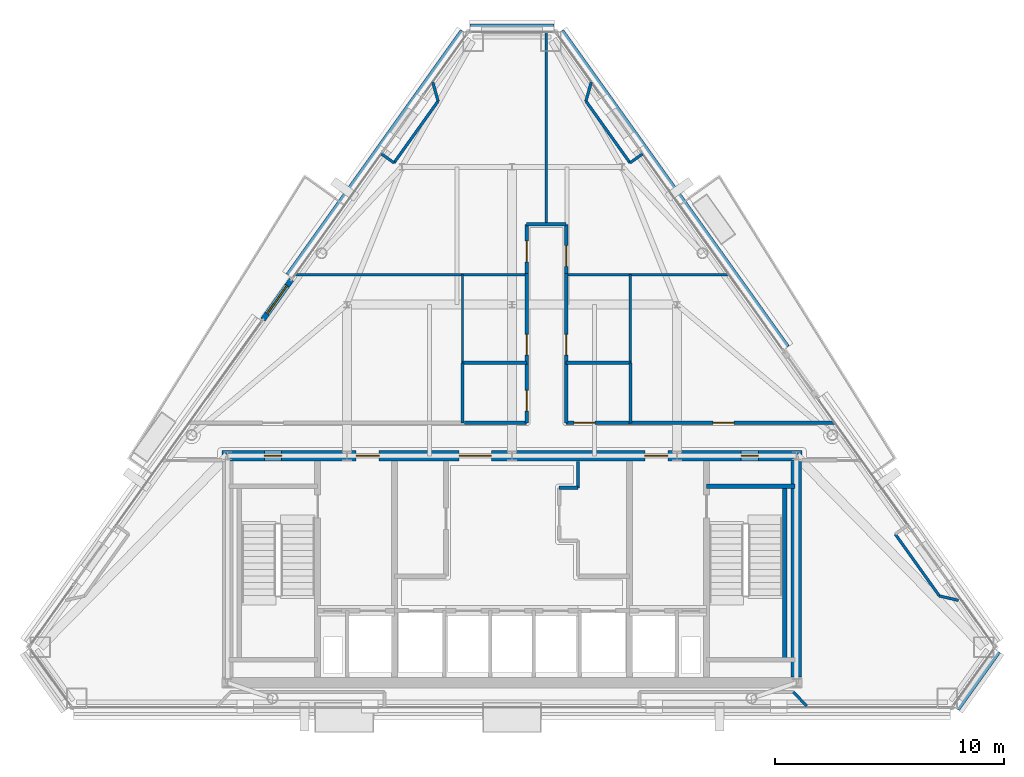
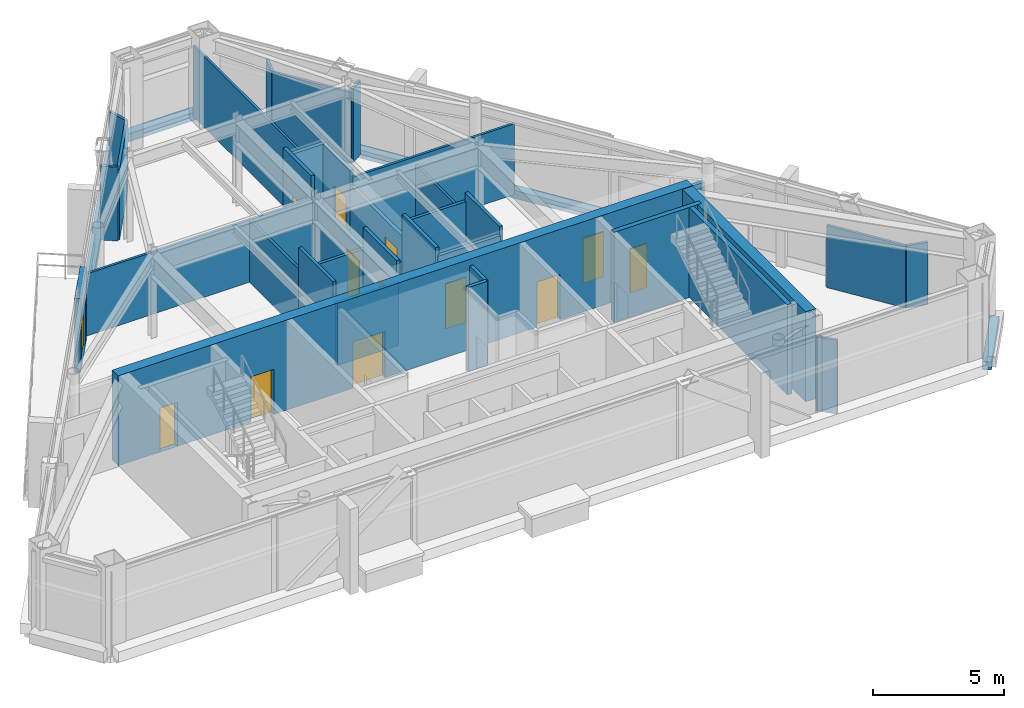
# One storey, part 9 of 12: 39 walls, 13 doors, 13 openings.
"""IFC4 building model written with IfcOpenShell, lengths in metres."""

import ifcopenshell
import ifcopenshell.guid

model = None  # the IFC model being written
_history = None  # IfcOwnerHistory: only IFC2X3 demands one
_inside = {}  # id of a spatial element -> (the spatial element, [elements in it])
_under = {}  # id of a project, library or spatial element -> (it, [spatial elements below it])
_declared = {}  # id of a project -> (the project, [libraries it declares])
_typed = {}  # id of a type object -> (the type object, [elements of that type])
_made_of = {}  # id of a material, layer set ... -> (it, [elements and type objects made of it])


def new_model(schema):
    """Start an empty IFC model of exactly this schema.

    Asked for "IFC4X3", IfcOpenShell would pick the latest addendum, in which some entities
    have other attributes; the version numbers below select the first issue.
    IFC2X3 requires an IfcOwnerHistory on every rooted entity: one is made here for all.
    """
    global model, _history
    if schema == "IFC4X3":
        model = ifcopenshell.file(schema_version=(4, 3, 0, 0))
    else:
        model = ifcopenshell.file(schema=schema)
    _inside.clear()
    _under.clear()
    _declared.clear()
    _typed.clear()
    _made_of.clear()
    _history = None
    if model.schema == "IFC2X3":
        org = make("IfcOrganization", Name="unknown")
        user = make(
            "IfcPersonAndOrganization",
            ThePerson=make("IfcPerson", FamilyName="unknown"),
            TheOrganization=org,
        )
        app = make(
            "IfcApplication",
            ApplicationDeveloper=org,
            Version="unknown",
            ApplicationFullName="unknown",
            ApplicationIdentifier="unknown",
        )
        _history = make(
            "IfcOwnerHistory",
            OwningUser=user,
            OwningApplication=app,
            ChangeAction="ADDED",
            CreationDate=0,
        )
    return model


def make(cls, **values):
    """One entity of the class cls with the attributes given. An attribute that is None is left unset."""
    return model.create_entity(
        cls, **{name: value for name, value in values.items() if value is not None}
    )


def rooted(cls, **values):
    """An entity with a GlobalId (a new one), such as an element, a storey or a relation."""
    return make(cls, GlobalId=ifcopenshell.guid.new(), OwnerHistory=_history, **values)


def si_unit(unit_type, name, prefix=None):
    """IfcSIUnit, for example si_unit("LENGTHUNIT", "METRE", prefix="MILLI")."""
    return make("IfcSIUnit", UnitType=unit_type, Prefix=prefix, Name=name)


def assignment(units):
    """IfcUnitAssignment: the units of a project."""
    return None if units is None else make("IfcUnitAssignment", Units=units)


def point(xyz):
    """IfcCartesianPoint."""
    return None if xyz is None else make("IfcCartesianPoint", Coordinates=xyz)


def direction(xyz):
    """IfcDirection."""
    return None if xyz is None else make("IfcDirection", DirectionRatios=xyz)


def frame(location, z_axis=None, x_axis=None):
    """IfcAxis2Placement3D, a coordinate frame: its origin and axes. An axis left out is left unset."""
    return make(
        "IfcAxis2Placement3D",
        Location=point(location),
        Axis=direction(z_axis),
        RefDirection=direction(x_axis),
    )


def frame_2d(location, x_axis=None):
    """IfcAxis2Placement2D, a coordinate frame in the plane: its origin and x axis."""
    return make(
        "IfcAxis2Placement2D", Location=point(location), RefDirection=direction(x_axis)
    )


def origin():
    """The frame at (0, 0, 0) with its axes left unset."""
    return frame((0.0, 0.0, 0.0))


def place(relative_to, where):
    """IfcLocalPlacement: puts the frame where relative to a parent placement (None: the world)."""
    return make(
        "IfcLocalPlacement", PlacementRelTo=relative_to, RelativePlacement=where
    )


def context(
    kind, dimensions, precision=None, world=None, true_north=None, identifier=None
):
    """IfcGeometricRepresentationContext, for example the 3D "Model" context."""
    return make(
        "IfcGeometricRepresentationContext",
        ContextIdentifier=identifier,
        ContextType=kind,
        CoordinateSpaceDimension=dimensions,
        Precision=precision,
        WorldCoordinateSystem=world,
        TrueNorth=true_north,
    )


def subcontext(parent, identifier, kind, view, scale=None):
    """IfcGeometricRepresentationSubContext, for example "Body" below "Model"."""
    return make(
        "IfcGeometricRepresentationSubContext",
        ContextIdentifier=identifier,
        ContextType=kind,
        ParentContext=parent,
        TargetScale=scale,
        TargetView=view,
    )


def project(units=None, contexts=None):
    """IfcProject with its units and contexts."""
    return rooted(
        "IfcProject",
        Name="project",
        RepresentationContexts=contexts,
        UnitsInContext=assignment(units),
    )


def spatial(cls, under=None, at=None, **own):
    """A site, building, storey or space (cls), placed at a placement, below another one or the project."""
    s = rooted(cls, ObjectPlacement=at, **own)
    if under is not None:
        _under.setdefault(under.id(), (under, []))[1].append(s)
    return s


def profile(cls, at=None, kind="AREA", **sizes):
    """A parametric profile (cls). Its sizes go by their IFC names, for example OverallWidth=200.0."""
    return make(cls, ProfileType=kind, Position=at, **sizes)


def rectangle(**sizes):
    """IfcRectangleProfileDef."""
    return profile("IfcRectangleProfileDef", **sizes)


def extrude(swept, where, along, depth):
    """IfcExtrudedAreaSolid: the profile swept, set in the frame where, extruded along a direction by depth."""
    return make(
        "IfcExtrudedAreaSolid",
        SweptArea=swept,
        Position=where,
        ExtrudedDirection=direction(along),
        Depth=depth,
    )


def shape(context_of_items, identifier, shape_type, items):
    """IfcShapeRepresentation: the items that make up one representation, for example the "Body"."""
    return make(
        "IfcShapeRepresentation",
        ContextOfItems=context_of_items,
        RepresentationIdentifier=identifier,
        RepresentationType=shape_type,
        Items=items,
    )


def material(Name=None, Category=None):
    """IfcMaterial."""
    return make("IfcMaterial", Name=Name, Category=Category)


def layer(
    of_material, thickness, ventilated=None, Name=None, Category=None, Priority=None
):
    """IfcMaterialLayer: one layer of a wall or slab, of a material (None: an air gap)."""
    return make(
        "IfcMaterialLayer",
        Material=of_material,
        LayerThickness=thickness,
        IsVentilated=ventilated,
        Name=Name,
        Category=Category,
        Priority=Priority,
    )


def layer_set(layers, Name=None):
    """IfcMaterialLayerSet."""
    return make("IfcMaterialLayerSet", MaterialLayers=layers, LayerSetName=Name)


def made_of(thing, what):
    """Note that an element or type object is made of a material, layer set ...; save() writes the relation."""
    if what is not None:
        _made_of.setdefault(what.id(), (what, []))[1].append(thing)
    return thing


def type_object(cls, material=None, **own):
    """A type object (cls), such as IfcWallType, which elements share."""
    return made_of(rooted(cls, **own), material)


def element(
    cls,
    number,
    at=None,
    inside=None,
    cuts=None,
    type_object=None,
    material=None,
    context=None,
    identifier="Body",
    shape_type=None,
    held_by="IfcProductDefinitionShape",
    body=None,
    shapes=None,
    **own,
):
    """One element of the class cls, such as IfcWall. Its Tag is "e" and its number.

    at: its placement. inside: the storey or other place that contains it. cuts: it is an
    opening in that element (IfcRelVoidsElement). A single representation is given by context,
    identifier, shape_type and body (its items); several are given by shapes. held_by: the class
    of the entity that holds the representations. save() writes the other relations.
    """
    e = rooted(cls, Tag="e%d" % number, ObjectPlacement=at, **own)
    if body is not None:
        shapes = [shape(context, identifier, shape_type, body)]
    if shapes is not None:
        e.Representation = make(held_by, Representations=shapes)
    if inside is not None:
        _inside.setdefault(inside.id(), (inside, []))[1].append(e)
    if cuts is not None:
        rooted(
            "IfcRelVoidsElement", RelatingBuildingElement=cuts, RelatedOpeningElement=e
        )
    if type_object is not None:
        _typed.setdefault(type_object.id(), (type_object, []))[1].append(e)
    return made_of(e, material)


def fill(opening, filler):
    """IfcRelFillsElement: the door or window that sits in an opening."""
    return rooted(
        "IfcRelFillsElement",
        RelatingOpeningElement=opening,
        RelatedBuildingElement=filler,
    )


def aggregate(whole, parts):
    """IfcRelAggregates: a whole, such as a stair, and the parts it consists of."""
    return rooted("IfcRelAggregates", RelatingObject=whole, RelatedObjects=parts)


def save(model, path):
    """Write the relations noted so far, then the file.

    IfcRelAggregates (storeys below a building ...), IfcRelContainedInSpatialStructure (elements
    in a storey), IfcRelDefinesByType, IfcRelAssociatesMaterial and IfcRelDeclares: one each for
    every whole, place, type object, material and project.
    """
    for whole, parts in _under.values():
        aggregate(whole, parts)
    for where, things in _inside.values():
        rooted(
            "IfcRelContainedInSpatialStructure",
            RelatedElements=things,
            RelatingStructure=where,
        )
    for kind, things in _typed.values():
        rooted("IfcRelDefinesByType", RelatedObjects=things, RelatingType=kind)
    for what, things in _made_of.values():
        rooted("IfcRelAssociatesMaterial", RelatedObjects=things, RelatingMaterial=what)
    for by, libraries in _declared.values():
        rooted("IfcRelDeclares", RelatingContext=by, RelatedDefinitions=libraries)
    model.write(path)


model = new_model("IFC4")

# Units and contexts
model_context = context("Model", 3, precision=1e-05, world=origin(), true_north=direction((0.0, 1.0)))
body_context = subcontext(model_context, "Body", "Model", "MODEL_VIEW")
ifc_project = project(units=[si_unit("LENGTHUNIT", "METRE"), si_unit("AREAUNIT", "SQUARE_METRE"), si_unit("VOLUMEUNIT", "CUBIC_METRE"), si_unit("PLANEANGLEUNIT", "RADIAN"), si_unit("MASSUNIT", "GRAM", prefix="KILO")], contexts=[model_context])

# Site, building, storey
site_placement = place(None, origin())
site = spatial("IfcSite", under=ifc_project, at=site_placement, CompositionType="ELEMENT")
building_placement = place(site_placement, origin())
building = spatial("IfcBuilding", under=site, at=building_placement, Name="Talgorran Terracotta Tower", CompositionType="ELEMENT")
storey_placement = place(building_placement, frame((0.0, 0.0, 285.0)))
storey = spatial("IfcBuildingStorey", under=building, at=storey_placement, Name="L75", CompositionType="ELEMENT", Elevation=285.0)

# Wall, opening, door
ifc_material_1 = material(Name="Concrete C40/50", Category="concrete")
ifc_layer_1 = layer(ifc_material_1, 0.239990234375, Name="WT_BALCONY_SPAND")
ifc_layer_set_1 = layer_set([ifc_layer_1], Name="Concrete C40/50")
wall_type_1 = type_object("IfcWallType", Name="WT_BALCONY_SPAND", PredefinedType="STANDARD", material=ifc_layer_set_1)
wall_1_placement = place(storey_placement, frame((-9.623291015625, 3.482421875, -0.014892578125), z_axis=(0.0, 0.0, 1.0), x_axis=(-0.581238193719, -0.813733471207, 0.0)))
wall_1 = element("IfcWall", 1, at=wall_1_placement, inside=storey, type_object=wall_type_1, Name="WL-L75-BALP-BAL-NW", PredefinedType="STANDARD", context=body_context, shape_type="SweptSolid", body=[
    extrude(rectangle(XDim=2.14013671875, YDim=0.239990234375, at=frame_2d((1.070068359375, 0.0))), origin(), (0.0, 0.0, 1.0), 3.452880859375),
])
opening_1_placement = place(wall_1_placement, frame((0.320068359375, 0.0, 0.014892578125)))
opening_1 = element("IfcOpeningElement", 2, at=opening_1_placement, cuts=wall_1, Name="Opening D-BAL-L75-2", PredefinedType="OPENING", context=body_context, shape_type="SweptSolid", body=[
    extrude(rectangle(XDim=1.506, YDim=2.203951171875, at=frame_2d((0.75, 1.10205078125))), frame((0.0, 0.1298828125, 0.0), z_axis=(0.0, -1.0, 0.0), x_axis=(1.0, 0.0, 0.0)), (0.0, 0.0, 1.0), 0.260009765625),
])
ifc_material_2 = material(Name="Thermally Broken Aluminium", Category="aluminium")
door_type_1 = type_object("IfcDoorType", Name="DT_BALC_1500", OperationType="SLIDING_TO_RIGHT", PredefinedType="DOOR", material=ifc_material_2)
door_1_placement = place(opening_1_placement, origin())
door_1 = element("IfcDoor", 3, at=door_1_placement, inside=storey, type_object=door_type_1, Name="DR-L75-BAL-BAL-NW", OperationType="SLIDING_TO_RIGHT", OverallHeight=2.199951171875, OverallWidth=1.5, PredefinedType="DOOR", context=body_context, shape_type="SweptSolid", body=[
    extrude(rectangle(XDim=1.5, YDim=2.199951171875, at=frame_2d((0.75, 1.10009765625))), frame((0.0, 0.02490234375, 0.0), z_axis=(0.0, -1.0, 0.0), x_axis=(1.0, 0.0, 0.0)), (0.0, 0.0, 1.0), 0.050048828125),
])
fill(opening_1, door_1)

# Walls
ifc_material_3 = material(Name="Concrete C50/60", Category="concrete")
ifc_layer_2 = layer(ifc_material_3, 0.199951171875, Name="WT_CORE_200")
ifc_layer_set_2 = layer_set([ifc_layer_2], Name="Concrete C50/60")
wall_type_2 = type_object("IfcWallType", Name="WT_CORE_200", PredefinedType="SOLIDWALL", material=ifc_layer_set_2)
wall_2_placement = place(storey_placement, frame((8.47998046875, -5.52001953125, 0.0), z_axis=(0.0, 0.0, 1.0), x_axis=(1.0, 0.0, 0.0)))
element("IfcWall", 4, at=wall_2_placement, inside=storey, type_object=wall_type_2, Name="WL-L75-CW-ST2-N", PredefinedType="SOLIDWALL", context=body_context, shape_type="SweptSolid", body=[
    extrude(rectangle(XDim=3.8701171875, YDim=0.199951171875, at=frame_2d((1.93505859375, 0.0))), origin(), (0.0, 0.0, 1.0), 4.199951171875),
])
wall_3_placement = place(storey_placement, frame((11.89990234375, -13.10009765625, 0.0), z_axis=(0.0, 0.0, 1.0), x_axis=(0.0, 1.0, 0.0)))
element("IfcWall", 5, at=wall_3_placement, inside=storey, type_object=wall_type_2, Name="WL-L75-CW-ST2-E", PredefinedType="SOLIDWALL", context=body_context, shape_type="SweptSolid", body=[
    extrude(rectangle(XDim=7.580078125, YDim=0.199951171875, at=frame_2d((3.7900390625, 0.0))), origin(), (0.0, 0.0, 1.0), 4.199951171875),
])

# Wall, openings, doors
ifc_material_4 = material(Name="Concrete C65/80", Category="concrete")
ifc_layer_3 = layer(ifc_material_4, 0.449951171875, Name="WT_CORE_EXT")
ifc_layer_set_3 = layer_set([ifc_layer_3], Name="Concrete C65/80")
wall_type_3 = type_object("IfcWallType", Name="WT_CORE_EXT", PredefinedType="SHEAR", material=ifc_layer_set_3)
wall_4_placement = place(storey_placement, frame((-12.64990234375, -4.199951171875, 0.0), z_axis=(0.0, 0.0, 1.0), x_axis=(1.0, 0.0, 0.0)))
wall_4 = element("IfcWall", 6, at=wall_4_placement, inside=storey, type_object=wall_type_3, Name="WL-L75-CW-OUT-N", PredefinedType="SHEAR", context=body_context, shape_type="SweptSolid", body=[
    extrude(rectangle(XDim=25.2998046875, YDim=0.449951171875, at=frame_2d((12.64990234375, 0.0))), origin(), (0.0, 0.0, 1.0), 4.199951171875),
])
opening_2_placement = place(wall_4_placement, frame((1.85009765625, 0.0, 0.0)))
opening_2 = element("IfcOpeningElement", 7, at=opening_2_placement, cuts=wall_4, Name="Opening DR-CSN1", PredefinedType="OPENING", context=body_context, shape_type="SweptSolid", body=[
    extrude(rectangle(XDim=0.756, YDim=2.054048828125, at=frame_2d((0.375, 1.027099609375))), frame((0.0, 0.23486328125, 0.0), z_axis=(0.0, -1.0, 0.0), x_axis=(1.0, 0.0, 0.0)), (0.0, 0.0, 1.0), 0.469970703125),
])
opening_3_placement = place(wall_4_placement, frame((22.64990234375, 0.0, 0.0)))
opening_3 = element("IfcOpeningElement", 8, at=opening_3_placement, cuts=wall_4, Name="Opening DR-CSN2", PredefinedType="OPENING", context=body_context, shape_type="SweptSolid", body=[
    extrude(rectangle(XDim=0.756, YDim=2.054048828125, at=frame_2d((0.375, 1.027099609375))), frame((0.0, 0.23486328125, 0.0), z_axis=(0.0, -1.0, 0.0), x_axis=(1.0, 0.0, 0.0)), (0.0, 0.0, 1.0), 0.469970703125),
])
opening_4_placement = place(wall_4_placement, frame((5.85009765625, 0.0, 0.0)))
opening_4 = element("IfcOpeningElement", 9, at=opening_4_placement, cuts=wall_4, Name="Opening DR-FFLW-N", PredefinedType="OPENING", context=body_context, shape_type="SweptSolid", body=[
    extrude(rectangle(XDim=1.006, YDim=2.10409765625, at=frame_2d((0.5, 1.052001953125))), frame((0.0, 0.23486328125, 0.0), z_axis=(0.0, -1.0, 0.0), x_axis=(1.0, 0.0, 0.0)), (0.0, 0.0, 1.0), 0.469970703125),
])
opening_5_placement = place(wall_4_placement, frame((10.35009765625, 0.0, 0.0)))
opening_5 = element("IfcOpeningElement", 10, at=opening_5_placement, cuts=wall_4, Name="Opening DR-PLL-N", PredefinedType="OPENING", context=body_context, shape_type="SweptSolid", body=[
    extrude(rectangle(XDim=1.40590234375, YDim=2.15390234375, at=frame_2d((0.699951171875, 1.076904296875))), frame((0.0, 0.23486328125, 0.0), z_axis=(0.0, -1.0, 0.0), x_axis=(1.0, 0.0, 0.0)), (0.0, 0.0, 1.0), 0.469970703125),
])
opening_6_placement = place(wall_4_placement, frame((18.449951171875, 0.0, 0.0)))
opening_6 = element("IfcOpeningElement", 11, at=opening_6_placement, cuts=wall_4, Name="Opening DR-FFLE-N", PredefinedType="OPENING", context=body_context, shape_type="SweptSolid", body=[
    extrude(rectangle(XDim=1.006, YDim=2.10409765625, at=frame_2d((0.5, 1.052001953125))), frame((0.0, 0.23486328125, 0.0), z_axis=(0.0, -1.0, 0.0), x_axis=(1.0, 0.0, 0.0)), (0.0, 0.0, 1.0), 0.469970703125),
])
ifc_material_5 = material(Name="Acoustic Glazed Timber", Category="wood")
door_type_2 = type_object("IfcDoorType", Name="DT_DOUBLE_1400", OperationType="DOUBLE_DOOR_SINGLE_SWING", PredefinedType="DOOR", material=ifc_material_5)
door_2_placement = place(opening_5_placement, origin())
door_2 = element("IfcDoor", 12, at=door_2_placement, inside=storey, type_object=door_type_2, Name="DR-PLL-N", OperationType="DOUBLE_DOOR_SINGLE_SWING", OverallHeight=2.14990234375, OverallWidth=1.39990234375, PredefinedType="DOOR", context=body_context, shape_type="SweptSolid", body=[
    extrude(rectangle(XDim=1.39990234375, YDim=2.14990234375, at=frame_2d((0.699951171875, 1.074951171875))), frame((0.0, 0.02490234375, 0.0), z_axis=(0.0, -1.0, 0.0), x_axis=(1.0, 0.0, 0.0)), (0.0, 0.0, 1.0), 0.050048828125),
])
fill(opening_5, door_2)
ifc_material_6 = material(Name="Fire-Rated Pressed Steel", Category="steel")
door_type_3 = type_object("IfcDoorType", Name="DT_FIRE_1000", OperationType="NOTDEFINED", PredefinedType="DOOR", material=ifc_material_6)
door_3_placement = place(opening_4_placement, origin())
door_3 = element("IfcDoor", 13, at=door_3_placement, inside=storey, type_object=door_type_3, Name="DR-FFLW-N", OperationType="SINGLE_SWING_LEFT", OverallHeight=2.10009765625, OverallWidth=1.0, PredefinedType="DOOR", context=body_context, shape_type="SweptSolid", body=[
    extrude(rectangle(XDim=1.0, YDim=2.10009765625, at=frame_2d((0.5, 1.050048828125))), frame((0.0, 0.02490234375, 0.0), z_axis=(0.0, -1.0, 0.0), x_axis=(1.0, 0.0, 0.0)), (0.0, 0.0, 1.0), 0.050048828125),
])
fill(opening_4, door_3)
door_4_placement = place(opening_6_placement, origin())
door_4 = element("IfcDoor", 14, at=door_4_placement, inside=storey, type_object=door_type_3, Name="DR-FFLE-N", OperationType="SINGLE_SWING_RIGHT", OverallHeight=2.10009765625, OverallWidth=1.0, PredefinedType="DOOR", context=body_context, shape_type="SweptSolid", body=[
    extrude(rectangle(XDim=1.0, YDim=2.10009765625, at=frame_2d((0.5, 1.050048828125))), frame((0.0, 0.02490234375, 0.0), z_axis=(0.0, -1.0, 0.0), x_axis=(1.0, 0.0, 0.0)), (0.0, 0.0, 1.0), 0.050048828125),
])
fill(opening_6, door_4)
door_type_4 = type_object("IfcDoorType", Name="DT_RISER_750", OperationType="NOTDEFINED", PredefinedType="DOOR", material=ifc_material_6)
door_5_placement = place(opening_2_placement, origin())
door_5 = element("IfcDoor", 15, at=door_5_placement, inside=storey, type_object=door_type_4, Name="DR-CSN1", OperationType="SINGLE_SWING_LEFT", OverallHeight=2.050048828125, OverallWidth=0.75, PredefinedType="DOOR", context=body_context, shape_type="SweptSolid", body=[
    extrude(rectangle(XDim=0.75, YDim=2.050048828125, at=frame_2d((0.375, 1.02490234375))), frame((0.0, 0.02490234375, 0.0), z_axis=(0.0, -1.0, 0.0), x_axis=(1.0, 0.0, 0.0)), (0.0, 0.0, 1.0), 0.050048828125),
])
fill(opening_2, door_5)
door_6_placement = place(opening_3_placement, origin())
door_6 = element("IfcDoor", 16, at=door_6_placement, inside=storey, type_object=door_type_4, Name="DR-CSN2", OperationType="SINGLE_SWING_RIGHT", OverallHeight=2.050048828125, OverallWidth=0.75, PredefinedType="DOOR", context=body_context, shape_type="SweptSolid", body=[
    extrude(rectangle(XDim=0.75, YDim=2.050048828125, at=frame_2d((0.375, 1.02490234375))), frame((0.0, 0.02490234375, 0.0), z_axis=(0.0, -1.0, 0.0), x_axis=(1.0, 0.0, 0.0)), (0.0, 0.0, 1.0), 0.050048828125),
])
fill(opening_3, door_6)

# Walls
wall_5_placement = place(storey_placement, frame((12.39990234375, -13.85009765625, 0.0), z_axis=(0.0, 0.0, 1.0), x_axis=(0.0, 1.0, 0.0)))
element("IfcWall", 17, at=wall_5_placement, inside=storey, type_object=wall_type_3, Name="WL-L75-CW-OUT-E", PredefinedType="SHEAR", context=body_context, shape_type="SweptSolid", body=[
    extrude(rectangle(XDim=9.400146484375, YDim=0.449951171875, at=frame_2d((4.7001953125, 0.0))), origin(), (0.0, 0.0, 1.0), 4.199951171875),
])
ifc_material_7 = material(Name="Fire-Rated Steel Stud Plasterboard", Category="steel")
ifc_layer_4 = layer(ifc_material_7, 0.14990234375, Name="WT_FIRE_150")
ifc_layer_set_4 = layer_set([ifc_layer_4], Name="Fire-Rated Steel Stud Plasterboard")
wall_type_4 = type_object("IfcWallType", Name="WT_FIRE_150", PredefinedType="PARTITIONING", material=ifc_layer_set_4)
wall_6_placement = place(storey_placement, frame((2.06005859375, -5.60009765625, 0.0), z_axis=(0.0, 0.0, 1.0), x_axis=(1.0, 0.0, 0.0)))
element("IfcWall", 18, at=wall_6_placement, inside=storey, type_object=wall_type_4, Name="WL-L75-CW-H-E3D", PredefinedType="PARTITIONING", context=body_context, shape_type="SweptSolid", body=[
    extrude(rectangle(XDim=0.81982421875, YDim=0.14990234375, at=frame_2d((0.409912109375, 0.0))), origin(), (0.0, 0.0, 1.0), 3.919921875),
])
wall_7_placement = place(storey_placement, frame((2.8798828125, -5.60009765625, 0.0), z_axis=(0.0, 0.0, 1.0), x_axis=(0.0, 1.0, 0.0)))
element("IfcWall", 19, at=wall_7_placement, inside=storey, type_object=wall_type_4, Name="WL-L75-CW-V-E3E", PredefinedType="PARTITIONING", context=body_context, shape_type="SweptSolid", body=[
    extrude(rectangle(XDim=1.150146484375, YDim=0.14990234375, at=frame_2d((0.5751953125, 0.0))), origin(), (0.0, 0.0, 1.0), 3.919921875),
])

# Wall, opening, door
wall_8_placement = place(storey_placement, frame((5.10009765625, -2.760009765625, 0.0), z_axis=(0.0, 0.0, 1.0), x_axis=(1.0, 0.0, 0.0)))
wall_8 = element("IfcWall", 20, at=wall_8_placement, inside=storey, type_object=wall_type_4, Name="WL-L75-W-L75-R09", PredefinedType="PARTITIONING", context=body_context, shape_type="SweptSolid", body=[
    extrude(rectangle(XDim=8.982177734375, YDim=0.14990234375, at=frame_2d((4.4912109375, 0.0))), origin(), (0.0, 0.0, 1.0), 2.89501953125),
])
opening_7_placement = place(wall_8_placement, frame((3.672119140625, 0.0, 0.0)))
opening_7 = element("IfcOpeningElement", 21, at=opening_7_placement, cuts=wall_8, Name="Opening DR-L75-R07", PredefinedType="OPENING", context=body_context, shape_type="SweptSolid", body=[
    extrude(rectangle(XDim=0.90590234375, YDim=2.10409765625, at=frame_2d((0.449951171875, 1.052001953125))), frame((0.0, 0.0849609375, 0.0), z_axis=(0.0, -1.0, 0.0), x_axis=(1.0, 0.0, 0.0)), (0.0, 0.0, 1.0), 0.169921875),
])
ifc_material_8 = material(Name="Fire-Rated Timber Core", Category="wood")
door_type_5 = type_object("IfcDoorType", Name="DT_FIRE_900", OperationType="NOTDEFINED", PredefinedType="DOOR", material=ifc_material_8)
door_7_placement = place(opening_7_placement, origin())
door_7 = element("IfcDoor", 22, at=door_7_placement, inside=storey, type_object=door_type_5, Name="DR-L75-R07", OperationType="SINGLE_SWING_LEFT", OverallHeight=2.10009765625, OverallWidth=0.89990234375, PredefinedType="DOOR", context=body_context, shape_type="SweptSolid", body=[
    extrude(rectangle(XDim=0.89990234375, YDim=2.10009765625, at=frame_2d((0.449951171875, 1.050048828125))), frame((0.0, 0.02490234375, 0.0), z_axis=(0.0, -1.0, 0.0), x_axis=(1.0, 0.0, 0.0)), (0.0, 0.0, 1.0), 0.050048828125),
])
fill(opening_7, door_7)

wall_9_placement = place(storey_placement, frame((0.639892578125, -0.199951171875, 0.0), z_axis=(0.0, 0.0, 1.0), x_axis=(0.0, 1.0, 0.0)))
wall_9 = element("IfcWall", 23, at=wall_9_placement, inside=storey, type_object=wall_type_4, Name="WL-L75-W-L75-R08", PredefinedType="PARTITIONING", context=body_context, shape_type="SweptSolid", body=[
    extrude(rectangle(XDim=3.9599609375, YDim=0.14990234375, at=frame_2d((1.97998046875, 0.0))), origin(), (0.0, 0.0, 1.0), 2.89501953125),
])
opening_8_placement = place(wall_9_placement, frame((0.39794921875, 0.0, 0.0)))
opening_8 = element("IfcOpeningElement", 24, at=opening_8_placement, cuts=wall_9, Name="Opening DR-L75-R06", PredefinedType="OPENING", context=body_context, shape_type="SweptSolid", body=[
    extrude(rectangle(XDim=0.90590234375, YDim=2.10409765625, at=frame_2d((0.449951171875, 1.052001953125))), frame((0.0, 0.0849609375, 0.0), z_axis=(0.0, -1.0, 0.0), x_axis=(1.0, 0.0, 0.0)), (0.0, 0.0, 1.0), 0.169921875),
])
door_8_placement = place(opening_8_placement, origin())
door_8 = element("IfcDoor", 25, at=door_8_placement, inside=storey, type_object=door_type_5, Name="DR-L75-R06", OperationType="SINGLE_SWING_RIGHT", OverallHeight=2.10009765625, OverallWidth=0.89990234375, PredefinedType="DOOR", context=body_context, shape_type="SweptSolid", body=[
    extrude(rectangle(XDim=0.89990234375, YDim=2.10009765625, at=frame_2d((0.449951171875, 1.050048828125))), frame((0.0, 0.02490234375, 0.0), z_axis=(0.0, -1.0, 0.0), x_axis=(1.0, 0.0, 0.0)), (0.0, 0.0, 1.0), 0.050048828125),
])
fill(opening_8, door_8)

wall_10_placement = place(storey_placement, frame((2.360107421875, -0.199951171875, 0.0), z_axis=(0.0, 0.0, 1.0), x_axis=(0.0, 1.0, 0.0)))
wall_10 = element("IfcWall", 26, at=wall_10_placement, inside=storey, type_object=wall_type_4, Name="WL-L75-W-L75-R10", PredefinedType="PARTITIONING", context=body_context, shape_type="SweptSolid", body=[
    extrude(rectangle(XDim=3.9599609375, YDim=0.14990234375, at=frame_2d((1.97998046875, 0.0))), origin(), (0.0, 0.0, 1.0), 2.89501953125),
])
opening_9_placement = place(wall_10_placement, frame((0.39794921875, 0.0, 0.0)))
opening_9 = element("IfcOpeningElement", 27, at=opening_9_placement, cuts=wall_10, Name="Opening DR-L75-R08", PredefinedType="OPENING", context=body_context, shape_type="SweptSolid", body=[
    extrude(rectangle(XDim=0.90590234375, YDim=2.10409765625, at=frame_2d((0.449951171875, 1.052001953125))), frame((0.0, 0.0849609375, 0.0), z_axis=(0.0, -1.0, 0.0), x_axis=(1.0, 0.0, 0.0)), (0.0, 0.0, 1.0), 0.169921875),
])
door_9_placement = place(opening_9_placement, origin())
door_9 = element("IfcDoor", 28, at=door_9_placement, inside=storey, type_object=door_type_5, Name="DR-L75-R08", OperationType="SINGLE_SWING_RIGHT", OverallHeight=2.10009765625, OverallWidth=0.89990234375, PredefinedType="DOOR", context=body_context, shape_type="SweptSolid", body=[
    extrude(rectangle(XDim=0.89990234375, YDim=2.10009765625, at=frame_2d((0.449951171875, 1.050048828125))), frame((0.0, 0.02490234375, 0.0), z_axis=(0.0, -1.0, 0.0), x_axis=(1.0, 0.0, 0.0)), (0.0, 0.0, 1.0), 0.050048828125),
])
fill(opening_9, door_9)

wall_11_placement = place(storey_placement, frame((2.360107421875, -2.760009765625, 0.0), z_axis=(0.0, 0.0, 1.0), x_axis=(1.0, 0.0, 0.0)))
wall_11 = element("IfcWall", 29, at=wall_11_placement, inside=storey, type_object=wall_type_4, Name="WL-L75-W-L75-R04", PredefinedType="PARTITIONING", context=body_context, shape_type="SweptSolid", body=[
    extrude(rectangle(XDim=2.73779296875, YDim=0.14990234375, at=frame_2d((1.368896484375, 0.0))), origin(), (0.0, 0.0, 1.0), 3.539306640625),
])
opening_10_placement = place(wall_11_placement, frame((0.357177734375, 0.0, 0.0)))
opening_10 = element("IfcOpeningElement", 30, at=opening_10_placement, cuts=wall_11, Name="Opening DR-L75-R03", PredefinedType="OPENING", context=body_context, shape_type="SweptSolid", body=[
    extrude(rectangle(XDim=0.90590234375, YDim=2.10409765625, at=frame_2d((0.449951171875, 1.052001953125))), frame((0.0, 0.0849609375, 0.0), z_axis=(0.0, -1.0, 0.0), x_axis=(1.0, 0.0, 0.0)), (0.0, 0.0, 1.0), 0.169921875),
])
door_10_placement = place(opening_10_placement, origin())
door_10 = element("IfcDoor", 31, at=door_10_placement, inside=storey, type_object=door_type_5, Name="DR-L75-R03", OperationType="SINGLE_SWING_LEFT", OverallHeight=2.10009765625, OverallWidth=0.89990234375, PredefinedType="DOOR", context=body_context, shape_type="SweptSolid", body=[
    extrude(rectangle(XDim=0.89990234375, YDim=2.10009765625, at=frame_2d((0.449951171875, 1.050048828125))), frame((0.0, 0.02490234375, 0.0), z_axis=(0.0, -1.0, 0.0), x_axis=(1.0, 0.0, 0.0)), (0.0, 0.0, 1.0), 0.050048828125),
])
fill(opening_10, door_10)

# Walls
wall_12_placement = place(storey_placement, frame((-2.077880859375, -2.760009765625, 0.0), z_axis=(0.0, 0.0, 1.0), x_axis=(1.0, 0.0, 0.0)))
element("IfcWall", 32, at=wall_12_placement, inside=storey, type_object=wall_type_4, Name="WL-L75-W-L75-R05", PredefinedType="PARTITIONING", context=body_context, shape_type="SweptSolid", body=[
    extrude(rectangle(XDim=2.7177734375, YDim=0.14990234375, at=frame_2d((1.35888671875, 0.0))), origin(), (0.0, 0.0, 1.0), 2.89501953125),
])
wall_13_placement = place(storey_placement, frame((2.360107421875, -2.760009765625, 0.0), z_axis=(0.0, 0.0, 1.0), x_axis=(0.0, 1.0, 0.0)))
element("IfcWall", 33, at=wall_13_placement, inside=storey, type_object=wall_type_4, Name="WL-L75-W-L75-R03", PredefinedType="PARTITIONING", context=body_context, shape_type="SweptSolid", body=[
    extrude(rectangle(XDim=2.55810546875, YDim=0.14990234375, at=frame_2d((1.279052734375, 0.0))), origin(), (0.0, 0.0, 1.0), 3.919921875),
])

# Wall, opening, door
wall_14_placement = place(storey_placement, frame((0.639892578125, -2.760009765625, 0.0), z_axis=(0.0, 0.0, 1.0), x_axis=(0.0, 1.0, 0.0)))
wall_14 = element("IfcWall", 34, at=wall_14_placement, inside=storey, type_object=wall_type_4, Name="WL-L75-W-L75-R06", PredefinedType="PARTITIONING", context=body_context, shape_type="SweptSolid", body=[
    extrude(rectangle(XDim=2.55810546875, YDim=0.14990234375, at=frame_2d((1.279052734375, 0.0))), origin(), (0.0, 0.0, 1.0), 3.919921875),
])
opening_11_placement = place(wall_14_placement, frame((0.514892578125, 0.0, 0.0)))
opening_11 = element("IfcOpeningElement", 35, at=opening_11_placement, cuts=wall_14, Name="Opening DR-L75-R04", PredefinedType="OPENING", context=body_context, shape_type="SweptSolid", body=[
    extrude(rectangle(XDim=0.90590234375, YDim=2.10409765625, at=frame_2d((0.449951171875, 1.052001953125))), frame((0.0, 0.0849609375, 0.0), z_axis=(0.0, -1.0, 0.0), x_axis=(1.0, 0.0, 0.0)), (0.0, 0.0, 1.0), 0.169921875),
])
door_11_placement = place(opening_11_placement, origin())
door_11 = element("IfcDoor", 36, at=door_11_placement, inside=storey, type_object=door_type_5, Name="DR-L75-R04", OperationType="SINGLE_SWING_RIGHT", OverallHeight=2.10009765625, OverallWidth=0.89990234375, PredefinedType="DOOR", context=body_context, shape_type="SweptSolid", body=[
    extrude(rectangle(XDim=0.89990234375, YDim=2.10009765625, at=frame_2d((0.449951171875, 1.050048828125))), frame((0.0, 0.02490234375, 0.0), z_axis=(0.0, -1.0, 0.0), x_axis=(1.0, 0.0, 0.0)), (0.0, 0.0, 1.0), 0.050048828125),
])
fill(opening_11, door_11)

wall_15_placement = place(storey_placement, frame((0.639892578125, 3.761962890625, 0.0), z_axis=(0.0, 0.0, 1.0), x_axis=(0.0, 1.0, 0.0)))
wall_15 = element("IfcWall", 37, at=wall_15_placement, inside=storey, type_object=wall_type_4, Name="WL-L75-W-L75-R11", PredefinedType="PARTITIONING", context=body_context, shape_type="SweptSolid", body=[
    extrude(rectangle(XDim=2.137939453125, YDim=0.14990234375, at=frame_2d((1.06884765625, 0.0))), origin(), (0.0, 0.0, 1.0), 3.919921875),
])
opening_12_placement = place(wall_15_placement, frame((0.5, 0.0, 0.0)))
opening_12 = element("IfcOpeningElement", 38, at=opening_12_placement, cuts=wall_15, Name="Opening DR-L75-R09", PredefinedType="OPENING", context=body_context, shape_type="SweptSolid", body=[
    extrude(rectangle(XDim=0.90590234375, YDim=2.10409765625, at=frame_2d((0.449951171875, 1.052001953125))), frame((0.0, 0.0849609375, 0.0), z_axis=(0.0, -1.0, 0.0), x_axis=(1.0, 0.0, 0.0)), (0.0, 0.0, 1.0), 0.169921875),
])
door_12_placement = place(opening_12_placement, origin())
door_12 = element("IfcDoor", 39, at=door_12_placement, inside=storey, type_object=door_type_5, Name="DR-L75-R09", OperationType="SINGLE_SWING_LEFT", OverallHeight=2.10009765625, OverallWidth=0.89990234375, PredefinedType="DOOR", context=body_context, shape_type="SweptSolid", body=[
    extrude(rectangle(XDim=0.89990234375, YDim=2.10009765625, at=frame_2d((0.449951171875, 1.050048828125))), frame((0.0, 0.02490234375, 0.0), z_axis=(0.0, -1.0, 0.0), x_axis=(1.0, 0.0, 0.0)), (0.0, 0.0, 1.0), 0.050048828125),
])
fill(opening_12, door_12)

wall_16_placement = place(storey_placement, frame((2.360107421875, 3.761962890625, 0.0), z_axis=(0.0, 0.0, 1.0), x_axis=(0.0, 1.0, 0.0)))
wall_16 = element("IfcWall", 40, at=wall_16_placement, inside=storey, type_object=wall_type_4, Name="WL-L75-W-L75-R14", PredefinedType="PARTITIONING", context=body_context, shape_type="SweptSolid", body=[
    extrude(rectangle(XDim=2.137939453125, YDim=0.14990234375, at=frame_2d((1.06884765625, 0.0))), origin(), (0.0, 0.0, 1.0), 3.539306640625),
])
opening_13_placement = place(wall_16_placement, frame((0.306884765625, 0.0, 0.0)))
opening_13 = element("IfcOpeningElement", 41, at=opening_13_placement, cuts=wall_16, Name="Opening DR-L75-R10", PredefinedType="OPENING", context=body_context, shape_type="SweptSolid", body=[
    extrude(rectangle(XDim=0.90590234375, YDim=2.10409765625, at=frame_2d((0.449951171875, 1.052001953125))), frame((0.0, 0.0849609375, 0.0), z_axis=(0.0, -1.0, 0.0), x_axis=(1.0, 0.0, 0.0)), (0.0, 0.0, 1.0), 0.169921875),
])
door_13_placement = place(opening_13_placement, origin())
door_13 = element("IfcDoor", 42, at=door_13_placement, inside=storey, type_object=door_type_5, Name="DR-L75-R10", OperationType="SINGLE_SWING_RIGHT", OverallHeight=2.10009765625, OverallWidth=0.89990234375, PredefinedType="DOOR", context=body_context, shape_type="SweptSolid", body=[
    extrude(rectangle(XDim=0.89990234375, YDim=2.10009765625, at=frame_2d((0.449951171875, 1.050048828125))), frame((0.0, 0.02490234375, 0.0), z_axis=(0.0, -1.0, 0.0), x_axis=(1.0, 0.0, 0.0)), (0.0, 0.0, 1.0), 0.050048828125),
])
fill(opening_13, door_13)

# Walls
wall_17_placement = place(storey_placement, frame((0.639892578125, 5.89990234375, 0.0), z_axis=(0.0, 0.0, 1.0), x_axis=(1.0, 0.0, 0.0)))
element("IfcWall", 43, at=wall_17_placement, inside=storey, type_object=wall_type_4, Name="WL-L75-W-L75-R12", PredefinedType="PARTITIONING", context=body_context, shape_type="SweptSolid", body=[
    extrude(rectangle(XDim=1.72021484375, YDim=0.14990234375, at=frame_2d((0.860107421875, 0.0))), origin(), (0.0, 0.0, 1.0), 3.539306640625),
])
ifc_layer_5 = layer(ifc_material_1, 0.219970703125, Name="WT_PARAPET_RC")
ifc_layer_set_5 = layer_set([ifc_layer_5], Name="Concrete C40/50")
wall_type_5 = type_object("IfcWallType", Name="WT_PARAPET_RC", PredefinedType="PARAPET", material=ifc_layer_set_5)
wall_18_placement = place(storey_placement, frame((19.3671875, -15.202392578125, -0.199951171875), z_axis=(0.0, 0.0, 1.0), x_axis=(0.581260731052, 0.813717372641, 0.0)))
element("IfcWall", 44, at=wall_18_placement, inside=storey, type_object=wall_type_5, Name="L75 Striped Portal Precast Cornice F2", PredefinedType="PARAPET", context=body_context, shape_type="SweptSolid", body=[
    extrude(rectangle(XDim=3.07421875, YDim=0.360107421875, at=frame_2d((1.537109375, 0.0))), origin(), (0.0, 0.0, 1.0), 0.3798828125),
])
wall_19_placement = place(storey_placement, frame((11.943359375, 0.509765625, -0.199951171875), z_axis=(0.0, 0.0, 1.0), x_axis=(-0.5812463791, 0.813727624444, 0.0)))
element("IfcWall", 45, at=wall_19_placement, inside=storey, type_object=wall_type_5, Name="L75 Striped Portal Precast Cornice F41", PredefinedType="PARAPET", context=body_context, shape_type="SweptSolid", body=[
    extrude(rectangle(XDim=16.928466796875, YDim=0.360107421875, at=frame_2d((8.46435546875, 0.0))), origin(), (0.0, 0.0, 1.0), 0.3798828125),
])
wall_20_placement = place(storey_placement, frame((1.82373046875, 14.449462890625, -0.199951171875), z_axis=(0.0, 0.0, 1.0), x_axis=(-1.0, 0.0, 0.0)))
element("IfcWall", 46, at=wall_20_placement, inside=storey, type_object=wall_type_5, Name="L75 Striped Portal Precast Cornice F4", PredefinedType="PARAPET", context=body_context, shape_type="SweptSolid", body=[
    extrude(rectangle(XDim=3.6474609375, YDim=0.360107421875, at=frame_2d((1.82373046875, 0.0))), origin(), (0.0, 0.0, 1.0), 0.3798828125),
])
wall_21_placement = place(storey_placement, frame((-2.103759765625, 14.284912109375, -0.199951171875), z_axis=(0.0, 0.0, 1.0), x_axis=(-0.581243494246, -0.81372968509, 0.0)))
element("IfcWall", 47, at=wall_21_placement, inside=storey, type_object=wall_type_5, Name="L75 Striped Portal Precast Cornice F60", PredefinedType="PARAPET", context=body_context, shape_type="SweptSolid", body=[
    extrude(rectangle(XDim=13.071044921875, YDim=0.360107421875, at=frame_2d((6.53564453125, 0.0))), origin(), (0.0, 0.0, 1.0), 0.3798828125),
])
ifc_material_9 = material(Name="Lightweight Steel Stud Partition", Category="steel")
ifc_layer_6 = layer(ifc_material_9, 0.10498046875, Name="WT_PART_110")
ifc_layer_set_6 = layer_set([ifc_layer_6], Name="Lightweight Steel Stud Partition")
wall_type_6 = type_object("IfcWallType", Name="WT_PART_110", PredefinedType="PARTITIONING", material=ifc_layer_set_6)
wall_22_placement = place(storey_placement, frame((1.5, 5.89990234375, 0.0), z_axis=(0.0, 0.0, 1.0), x_axis=(0.0, 1.0, 0.0)))
element("IfcWall", 48, at=wall_22_placement, inside=storey, type_object=wall_type_6, Name="WL-L75-W-L75-R25", PredefinedType="PARTITIONING", context=body_context, shape_type="SweptSolid", body=[
    extrude(rectangle(XDim=8.3896484375, YDim=0.10498046875, at=frame_2d((4.19482421875, 0.0))), origin(), (0.0, 0.0, 1.0), 3.29296875),
])
wall_23_placement = place(storey_placement, frame((-9.468017578125, 3.699951171875, 0.0), z_axis=(0.0, 0.0, 1.0), x_axis=(1.0, 0.0, 0.0)))
element("IfcWall", 49, at=wall_23_placement, inside=storey, type_object=wall_type_6, Name="WL-L75-W-L75-R20", PredefinedType="PARTITIONING", context=body_context, shape_type="SweptSolid", body=[
    extrude(rectangle(XDim=10.10791015625, YDim=0.10498046875, at=frame_2d((5.053955078125, 0.0))), origin(), (0.0, 0.0, 1.0), 2.89501953125),
])
wall_24_placement = place(storey_placement, frame((2.360107421875, 3.699951171875, 0.0), z_axis=(0.0, 0.0, 1.0), x_axis=(1.0, 0.0, 0.0)))
element("IfcWall", 50, at=wall_24_placement, inside=storey, type_object=wall_type_6, Name="WL-L75-W-L75-R23", PredefinedType="PARTITIONING", context=body_context, shape_type="SweptSolid", body=[
    extrude(rectangle(XDim=7.10791015625, YDim=0.10498046875, at=frame_2d((3.553955078125, 0.0))), origin(), (0.0, 0.0, 1.0), 3.29296875),
])
for number, where, z_axis, x_axis, name in (
    (51, (-2.159912109375, -0.199951171875, 0.0), (0.0, 0.0, 1.0), (0.0, 1.0, 0.0), "WL-L75-W-L75-R19"),
    (52, (5.159912109375, -0.199951171875, 0.0), (0.0, 0.0, 1.0), (0.0, 1.0, 0.0), "WL-L75-W-L75-R22"),
):
    element("IfcWall", number, at=place(storey_placement, frame(where, z_axis=z_axis, x_axis=x_axis)), inside=storey, type_object=wall_type_6, Name=name, PredefinedType="PARTITIONING", context=body_context, shape_type="SweptSolid", body=[
        extrude(rectangle(XDim=3.89990234375, YDim=0.10498046875, at=frame_2d((1.949951171875, 0.0))), origin(), (0.0, 0.0, 1.0), 2.89501953125),
    ])
ifc_material_10 = material(Name="Insulated Steel Stud Plasterboard", Category="steel")
ifc_layer_7 = layer(ifc_material_10, 0.1201171875, Name="WT_PART_120")
ifc_layer_set_7 = layer_set([ifc_layer_7], Name="Insulated Steel Stud Plasterboard")
wall_type_7 = type_object("IfcWallType", Name="WT_PART_120", PredefinedType="PARTITIONING", material=ifc_layer_set_7)
for number, where, z_axis, x_axis, name in (
    (53, (-3.22314453125, 11.2724609375, 0.0), (0.0, 0.0, 1.0), (-0.581217264706, -0.813748420095, 0.0), "WL-L75-BW-L75-15"),
    (54, (5.147216796875, 8.57861328125, 0.0), (0.0, 0.0, 1.0), (-0.581217264706, 0.813748420095, 0.0), "WL-L75-BW-L75-18"),
):
    element("IfcWall", number, at=place(storey_placement, frame(where, z_axis=z_axis, x_axis=x_axis)), inside=storey, type_object=wall_type_7, Name=name, PredefinedType="PARTITIONING", context=body_context, shape_type="SweptSolid", body=[
        extrude(rectangle(XDim=3.310302734375, YDim=0.1201171875, at=frame_2d((1.6552734375, 0.0))), origin(), (0.0, 0.0, 1.0), 3.29296875),
    ])
wall_25_placement = place(storey_placement, frame((18.6396484375, -10.309814453125, 0.0), z_axis=(0.0, 0.0, 1.0), x_axis=(-0.581217264706, 0.813748420095, 0.0)))
element("IfcWall", 55, at=wall_25_placement, inside=storey, type_object=wall_type_7, Name="WL-L75-BW-L75-13", PredefinedType="PARTITIONING", context=body_context, shape_type="SweptSolid", body=[
    extrude(rectangle(XDim=3.310302734375, YDim=0.1201171875, at=frame_2d((1.6552734375, 0.0))), origin(), (0.0, 0.0, 1.0), 2.89501953125),
])
for number, where, z_axis, x_axis, name in (
    (56, (-3.456787109375, 12.097900390625, 0.0), (0.0, 0.0, 1.0), (0.272352294116, -0.962197603349, 0.0), "WL-L75-BW-L75-14"),
    (57, (3.22314453125, 11.2724609375, 0.0), (0.0, 0.0, 1.0), (0.272352294116, 0.962197603349, 0.0), "WL-L75-BW-L75-19"),
):
    element("IfcWall", number, at=place(storey_placement, frame(where, z_axis=z_axis, x_axis=x_axis)), inside=storey, type_object=wall_type_7, Name=name, PredefinedType="PARTITIONING", context=body_context, shape_type="SweptSolid", body=[
        extrude(rectangle(XDim=0.85791015625, YDim=0.1201171875, at=frame_2d((0.428955078125, 0.0))), origin(), (0.0, 0.0, 1.0), 3.29296875),
    ])
wall_26_placement = place(storey_placement, frame((19.468994140625, -10.502197265625, 0.0), z_axis=(0.0, 0.0, 1.0), x_axis=(-0.974134409857, 0.22596935972, 0.0)))
element("IfcWall", 58, at=wall_26_placement, inside=storey, type_object=wall_type_7, Name="WL-L75-BW-L75-12", PredefinedType="PARTITIONING", context=body_context, shape_type="SweptSolid", body=[
    extrude(rectangle(XDim=0.851318359375, YDim=0.1201171875, at=frame_2d((0.42578125, 0.0))), origin(), (0.0, 0.0, 1.0), 2.89501953125),
])
wall_27_placement = place(storey_placement, frame((12.269775390625, -14.494384765625, 0.0), z_axis=(0.0, 0.0, 1.0), x_axis=(0.685203170989, -0.728351985283, 0.0)))
element("IfcWall", 59, at=wall_27_placement, inside=storey, type_object=wall_type_7, Name="WL-L75-BW-L75-04", PredefinedType="PARTITIONING", context=body_context, shape_type="SweptSolid", body=[
    extrude(rectangle(XDim=0.8486328125, YDim=0.1201171875, at=frame_2d((0.42431640625, 0.0))), origin(), (0.0, 0.0, 1.0), 3.43798828125),
])
for number, where, z_axis, x_axis, name in (
    (60, (-5.147216796875, 8.57861328125, 0.0), (0.0, 0.0, 1.0), (-0.813561114612, 0.581479417341, 0.0), "WL-L75-BW-L75-16"),
    (61, (5.6923828125, 8.96826171875, 0.0), (0.0, 0.0, 1.0), (-0.813561114612, -0.581479417341, 0.0), "WL-L75-BW-L75-17"),
):
    element("IfcWall", number, at=place(storey_placement, frame(where, z_axis=z_axis, x_axis=x_axis)), inside=storey, type_object=wall_type_7, Name=name, PredefinedType="PARTITIONING", context=body_context, shape_type="SweptSolid", body=[
        extrude(rectangle(XDim=0.670166015625, YDim=0.1201171875, at=frame_2d((0.3349609375, 0.0))), origin(), (0.0, 0.0, 1.0), 3.43798828125),
    ])
ifc_material_11 = material(Name="Moisture-Resistant Stud Wall")
ifc_layer_8 = layer(ifc_material_11, 0.135009765625, Name="WT_PART_135")
ifc_layer_set_8 = layer_set([ifc_layer_8], Name="Moisture-Resistant Stud Wall")
wall_type_8 = type_object("IfcWallType", Name="WT_PART_135", PredefinedType="PARTITIONING", material=ifc_layer_set_8)
wall_28_placement = place(storey_placement, frame((2.360107421875, -0.139892578125, 0.0), z_axis=(0.0, 0.0, 1.0), x_axis=(1.0, 0.0, 0.0)))
element("IfcWall", 62, at=wall_28_placement, inside=storey, type_object=wall_type_8, Name="WL-L75-W-L75-R16", PredefinedType="PARTITIONING", context=body_context, shape_type="SweptSolid", body=[
    extrude(rectangle(XDim=2.7998046875, YDim=0.135009765625, at=frame_2d((1.39990234375, 0.0))), origin(), (0.0, 0.0, 1.0), 3.539306640625),
])
wall_29_placement = place(storey_placement, frame((-2.159912109375, -0.139892578125, 0.0), z_axis=(0.0, 0.0, 1.0), x_axis=(1.0, 0.0, 0.0)))
element("IfcWall", 63, at=wall_29_placement, inside=storey, type_object=wall_type_8, Name="WL-L75-W-L75-R18", PredefinedType="PARTITIONING", context=body_context, shape_type="SweptSolid", body=[
    extrude(rectangle(XDim=2.7998046875, YDim=0.135009765625, at=frame_2d((1.39990234375, 0.0))), origin(), (0.0, 0.0, 1.0), 2.89501953125),
])
for number, where, z_axis, x_axis, name in (
    (64, (5.159912109375, -2.760009765625, 0.0), (0.0, 0.0, 1.0), (0.0, 1.0, 0.0), "WL-L75-W-L75-R15"),
    (65, (-2.159912109375, -2.760009765625, 0.0), (0.0, 0.0, 1.0), (0.0, 1.0, 0.0), "WL-L75-W-L75-R17"),
):
    element("IfcWall", number, at=place(storey_placement, frame(where, z_axis=z_axis, x_axis=x_axis)), inside=storey, type_object=wall_type_8, Name=name, PredefinedType="PARTITIONING", context=body_context, shape_type="SweptSolid", body=[
        extrude(rectangle(XDim=2.6201171875, YDim=0.135009765625, at=frame_2d((1.31005859375, 0.0))), origin(), (0.0, 0.0, 1.0), 3.919921875),
    ])

save(model, "model.ifc")
